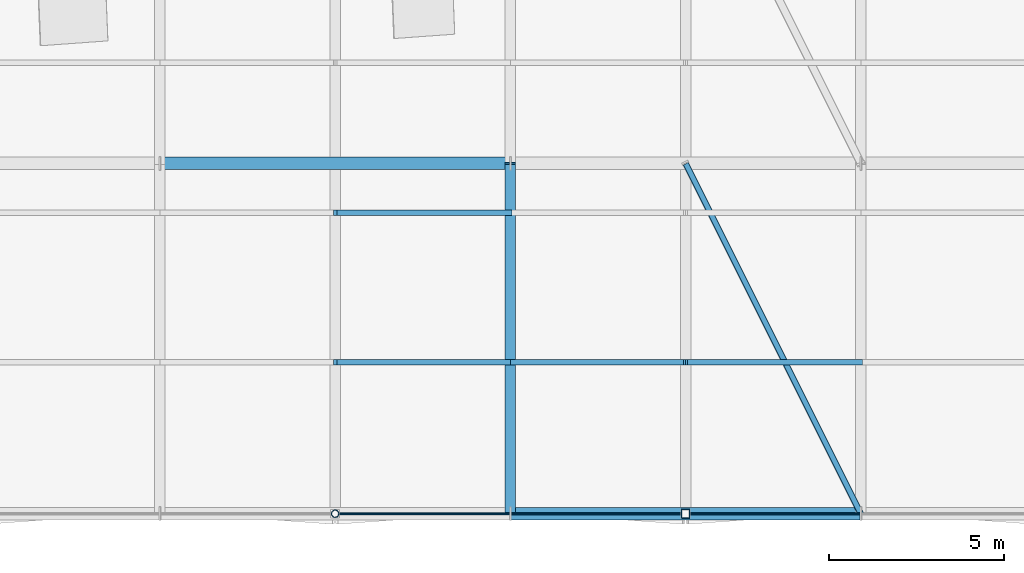
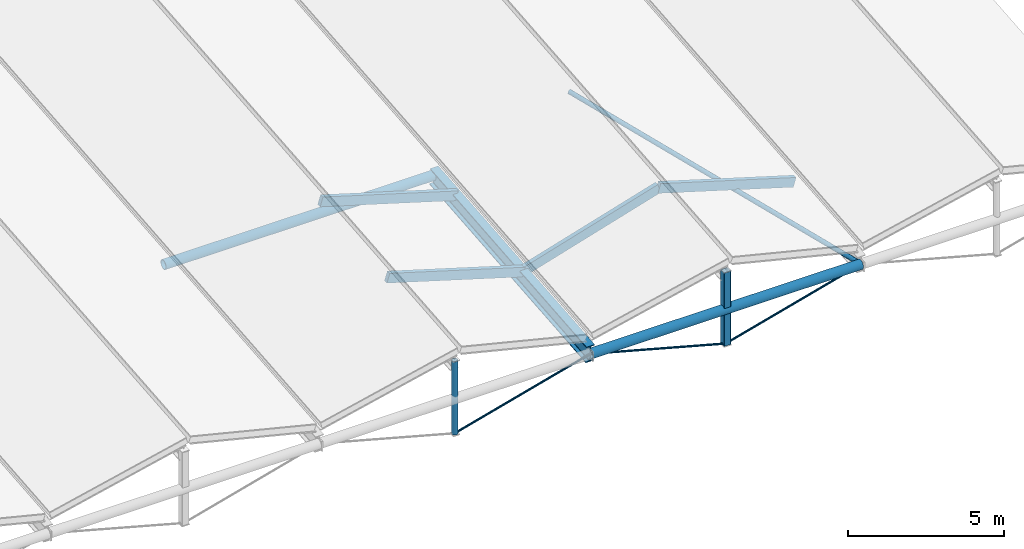
# One storey, part 18 of 90: 10 members, 3 beams.
"""IFC4 building model written with IfcOpenShell, lengths in metres."""

import ifcopenshell
import ifcopenshell.guid

model = None  # the IFC model being written
_history = None  # IfcOwnerHistory: only IFC2X3 demands one
_inside = {}  # id of a spatial element -> (the spatial element, [elements in it])
_under = {}  # id of a project, library or spatial element -> (it, [spatial elements below it])
_declared = {}  # id of a project -> (the project, [libraries it declares])
_typed = {}  # id of a type object -> (the type object, [elements of that type])
_made_of = {}  # id of a material, layer set ... -> (it, [elements and type objects made of it])


def new_model(schema):
    """Start an empty IFC model of exactly this schema.

    Asked for "IFC4X3", IfcOpenShell would pick the latest addendum, in which some entities
    have other attributes; the version numbers below select the first issue.
    IFC2X3 requires an IfcOwnerHistory on every rooted entity: one is made here for all.
    """
    global model, _history
    if schema == "IFC4X3":
        model = ifcopenshell.file(schema_version=(4, 3, 0, 0))
    else:
        model = ifcopenshell.file(schema=schema)
    _inside.clear()
    _under.clear()
    _declared.clear()
    _typed.clear()
    _made_of.clear()
    _history = None
    if model.schema == "IFC2X3":
        org = make("IfcOrganization", Name="unknown")
        user = make(
            "IfcPersonAndOrganization",
            ThePerson=make("IfcPerson", FamilyName="unknown"),
            TheOrganization=org,
        )
        app = make(
            "IfcApplication",
            ApplicationDeveloper=org,
            Version="unknown",
            ApplicationFullName="unknown",
            ApplicationIdentifier="unknown",
        )
        _history = make(
            "IfcOwnerHistory",
            OwningUser=user,
            OwningApplication=app,
            ChangeAction="ADDED",
            CreationDate=0,
        )
    return model


def make(cls, **values):
    """One entity of the class cls with the attributes given. An attribute that is None is left unset."""
    return model.create_entity(
        cls, **{name: value for name, value in values.items() if value is not None}
    )


def rooted(cls, **values):
    """An entity with a GlobalId (a new one), such as an element, a storey or a relation."""
    return make(cls, GlobalId=ifcopenshell.guid.new(), OwnerHistory=_history, **values)


def si_unit(unit_type, name, prefix=None):
    """IfcSIUnit, for example si_unit("LENGTHUNIT", "METRE", prefix="MILLI")."""
    return make("IfcSIUnit", UnitType=unit_type, Prefix=prefix, Name=name)


def assignment(units):
    """IfcUnitAssignment: the units of a project."""
    return None if units is None else make("IfcUnitAssignment", Units=units)


def point(xyz):
    """IfcCartesianPoint."""
    return None if xyz is None else make("IfcCartesianPoint", Coordinates=xyz)


def direction(xyz):
    """IfcDirection."""
    return None if xyz is None else make("IfcDirection", DirectionRatios=xyz)


def frame(location, z_axis=None, x_axis=None):
    """IfcAxis2Placement3D, a coordinate frame: its origin and axes. An axis left out is left unset."""
    return make(
        "IfcAxis2Placement3D",
        Location=point(location),
        Axis=direction(z_axis),
        RefDirection=direction(x_axis),
    )


def frame_2d(location, x_axis=None):
    """IfcAxis2Placement2D, a coordinate frame in the plane: its origin and x axis."""
    return make(
        "IfcAxis2Placement2D", Location=point(location), RefDirection=direction(x_axis)
    )


def origin():
    """The frame at (0, 0, 0) with its axes left unset."""
    return frame((0.0, 0.0, 0.0))


def origin_2d():
    """The frame at (0, 0) in the plane with its x axis left unset."""
    return frame_2d((0.0, 0.0))


def place(relative_to, where):
    """IfcLocalPlacement: puts the frame where relative to a parent placement (None: the world)."""
    return make(
        "IfcLocalPlacement", PlacementRelTo=relative_to, RelativePlacement=where
    )


def context(
    kind, dimensions, precision=None, world=None, true_north=None, identifier=None
):
    """IfcGeometricRepresentationContext, for example the 3D "Model" context."""
    return make(
        "IfcGeometricRepresentationContext",
        ContextIdentifier=identifier,
        ContextType=kind,
        CoordinateSpaceDimension=dimensions,
        Precision=precision,
        WorldCoordinateSystem=world,
        TrueNorth=true_north,
    )


def subcontext(parent, identifier, kind, view, scale=None):
    """IfcGeometricRepresentationSubContext, for example "Body" below "Model"."""
    return make(
        "IfcGeometricRepresentationSubContext",
        ContextIdentifier=identifier,
        ContextType=kind,
        ParentContext=parent,
        TargetScale=scale,
        TargetView=view,
    )


def project(units=None, contexts=None):
    """IfcProject with its units and contexts."""
    return rooted(
        "IfcProject",
        Name="project",
        RepresentationContexts=contexts,
        UnitsInContext=assignment(units),
    )


def spatial(cls, under=None, at=None, **own):
    """A site, building, storey or space (cls), placed at a placement, below another one or the project."""
    s = rooted(cls, ObjectPlacement=at, **own)
    if under is not None:
        _under.setdefault(under.id(), (under, []))[1].append(s)
    return s


def profile(cls, at=None, kind="AREA", **sizes):
    """A parametric profile (cls). Its sizes go by their IFC names, for example OverallWidth=200.0."""
    return make(cls, ProfileType=kind, Position=at, **sizes)


def rectangle(**sizes):
    """IfcRectangleProfileDef."""
    return profile("IfcRectangleProfileDef", **sizes)


def hollow_rectangle(**sizes):
    """IfcRectangleHollowProfileDef."""
    return profile("IfcRectangleHollowProfileDef", **sizes)


def circle(**sizes):
    """IfcCircleProfileDef."""
    return profile("IfcCircleProfileDef", **sizes)


def hollow_circle(**sizes):
    """IfcCircleHollowProfileDef."""
    return profile("IfcCircleHollowProfileDef", **sizes)


def i_section(**sizes):
    """IfcIShapeProfileDef."""
    return profile("IfcIShapeProfileDef", **sizes)


def extrude(swept, where, along, depth):
    """IfcExtrudedAreaSolid: the profile swept, set in the frame where, extruded along a direction by depth."""
    return make(
        "IfcExtrudedAreaSolid",
        SweptArea=swept,
        Position=where,
        ExtrudedDirection=direction(along),
        Depth=depth,
    )


def shape(context_of_items, identifier, shape_type, items):
    """IfcShapeRepresentation: the items that make up one representation, for example the "Body"."""
    return make(
        "IfcShapeRepresentation",
        ContextOfItems=context_of_items,
        RepresentationIdentifier=identifier,
        RepresentationType=shape_type,
        Items=items,
    )


def material(Name=None, Category=None):
    """IfcMaterial."""
    return make("IfcMaterial", Name=Name, Category=Category)


def material_profile(
    of_material, cross_section, Name=None, Category=None, Priority=None
):
    """IfcMaterialProfile: a cross section and its material."""
    return make(
        "IfcMaterialProfile",
        Name=Name,
        Material=of_material,
        Profile=cross_section,
        Priority=Priority,
        Category=Category,
    )


def profile_set(profiles, Name=None, composite=None):
    """IfcMaterialProfileSet."""
    return make(
        "IfcMaterialProfileSet",
        Name=Name,
        MaterialProfiles=profiles,
        CompositeProfile=composite,
    )


def made_of(thing, what):
    """Note that an element or type object is made of a material, layer set ...; save() writes the relation."""
    if what is not None:
        _made_of.setdefault(what.id(), (what, []))[1].append(thing)
    return thing


def type_object(cls, material=None, **own):
    """A type object (cls), such as IfcWallType, which elements share."""
    return made_of(rooted(cls, **own), material)


def element(
    cls,
    number,
    at=None,
    inside=None,
    cuts=None,
    type_object=None,
    material=None,
    context=None,
    identifier="Body",
    shape_type=None,
    held_by="IfcProductDefinitionShape",
    body=None,
    shapes=None,
    **own,
):
    """One element of the class cls, such as IfcWall. Its Tag is "e" and its number.

    at: its placement. inside: the storey or other place that contains it. cuts: it is an
    opening in that element (IfcRelVoidsElement). A single representation is given by context,
    identifier, shape_type and body (its items); several are given by shapes. held_by: the class
    of the entity that holds the representations. save() writes the other relations.
    """
    e = rooted(cls, Tag="e%d" % number, ObjectPlacement=at, **own)
    if body is not None:
        shapes = [shape(context, identifier, shape_type, body)]
    if shapes is not None:
        e.Representation = make(held_by, Representations=shapes)
    if inside is not None:
        _inside.setdefault(inside.id(), (inside, []))[1].append(e)
    if cuts is not None:
        rooted(
            "IfcRelVoidsElement", RelatingBuildingElement=cuts, RelatedOpeningElement=e
        )
    if type_object is not None:
        _typed.setdefault(type_object.id(), (type_object, []))[1].append(e)
    return made_of(e, material)


def aggregate(whole, parts):
    """IfcRelAggregates: a whole, such as a stair, and the parts it consists of."""
    return rooted("IfcRelAggregates", RelatingObject=whole, RelatedObjects=parts)


def save(model, path):
    """Write the relations noted so far, then the file.

    IfcRelAggregates (storeys below a building ...), IfcRelContainedInSpatialStructure (elements
    in a storey), IfcRelDefinesByType, IfcRelAssociatesMaterial and IfcRelDeclares: one each for
    every whole, place, type object, material and project.
    """
    for whole, parts in _under.values():
        aggregate(whole, parts)
    for where, things in _inside.values():
        rooted(
            "IfcRelContainedInSpatialStructure",
            RelatedElements=things,
            RelatingStructure=where,
        )
    for kind, things in _typed.values():
        rooted("IfcRelDefinesByType", RelatedObjects=things, RelatingType=kind)
    for what, things in _made_of.values():
        rooted("IfcRelAssociatesMaterial", RelatedObjects=things, RelatingMaterial=what)
    for by, libraries in _declared.values():
        rooted("IfcRelDeclares", RelatingContext=by, RelatedDefinitions=libraries)
    model.write(path)


model = new_model("IFC4")

# Units and contexts
model_context = context("Model", 3, precision=1e-05, world=origin(), true_north=direction((0.0, 1.0)))
body_context = subcontext(model_context, "Body", "Model", "MODEL_VIEW")
ifc_project = project(units=[si_unit("LENGTHUNIT", "METRE"), si_unit("AREAUNIT", "SQUARE_METRE"), si_unit("VOLUMEUNIT", "CUBIC_METRE"), si_unit("PLANEANGLEUNIT", "RADIAN"), si_unit("MASSUNIT", "GRAM", prefix="KILO"), si_unit("THERMODYNAMICTEMPERATUREUNIT", "KELVIN"), si_unit("POWERUNIT", "WATT")], contexts=[model_context])

# Site, building, storey
site_placement = place(None, origin())
site = spatial("IfcSite", under=ifc_project, at=site_placement, CompositionType="ELEMENT")
building_placement = place(site_placement, origin())
building = spatial("IfcBuilding", under=site, at=building_placement, Name="Korenveer Ferry Terminal", CompositionType="ELEMENT")
storey_placement = place(building_placement, frame((0.0, 0.0, 22.199951171875)))
storey = spatial("IfcBuildingStorey", under=building, at=storey_placement, Name="RF", CompositionType="ELEMENT", Elevation=22.199951171875)

# Beam
ifc_material_1 = material(Name="Steel S355", Category="steel")
ifc_material_profile_1 = material_profile(ifc_material_1, i_section(OverallWidth=0.300048828125, OverallDepth=0.64990234375, WebThickness=0.01611328125, FlangeThickness=0.031005859375, FilletRadius=0.027099609375, at=origin_2d()), Name="HEB 650")
ifc_profile_set_1 = profile_set([ifc_material_profile_1], Name="Steel S355")
beam_type_1 = type_object("IfcBeamType", Name="STR-BM-HEB650", PredefinedType="BEAM", material=ifc_profile_set_1)
beam_placement = place(storey_placement, frame((103.0, 20.0, -11.401611328125), z_axis=(0.0, 0.995903364261, 0.090423940715), x_axis=(-1.0, 0.0, 0.0)))
element("IfcBeam", 1, at=beam_placement, inside=storey, type_object=beam_type_1, Name="Folded roof valley girder 43", PredefinedType="BEAM", context=body_context, shape_type="SweptSolid", body=[
    extrude(i_section(OverallWidth=0.300048828125, OverallDepth=0.64990234375, WebThickness=0.01611328125, FlangeThickness=0.031005859375, FilletRadius=0.027099609375, at=origin_2d()), origin(), (0.0, 0.0, 1.0), 10.041015625),
])

# Members
ifc_material_profile_2 = material_profile(ifc_material_1, hollow_circle(Radius=0.084228515625, WallThickness=0.010009765625, at=origin_2d()), Name="CHS 168.3x10")
ifc_profile_set_2 = profile_set([ifc_material_profile_2], Name="Steel S355")
member_type_1 = type_object("IfcMemberType", Name="STR-BRC-CHS168", PredefinedType="BRACE", material=ifc_profile_set_2)
member_1_placement = place(storey_placement, frame((113.0, 20.0, -11.401611328125), z_axis=(-0.437110045644, 0.874220091289, 0.211362342872), x_axis=(-0.894427191, -0.4472135955, 0.0)))
element("IfcMember", 2, at=member_1_placement, inside=storey, type_object=member_type_1, Name="Roof wind brace BRCRF-B5-Y20", PredefinedType="BRACE", context=body_context, shape_type="SweptSolid", body=[
    extrude(hollow_circle(Radius=0.084228515625, WallThickness=0.010009765625, at=origin_2d()), origin(), (0.0, 0.0, 1.0), 11.438720703125),
])
ifc_material_2 = material(Name="High-strength steel S460", Category="steel")
ifc_material_profile_3 = material_profile(ifc_material_2, circle(Radius=0.0380859375, at=origin_2d()), Name="ROD D76")
ifc_profile_set_3 = profile_set([ifc_material_profile_3], Name="High-strength steel S460")
member_type_2 = type_object("IfcMemberType", Name="STR-CBL-D76", PredefinedType="USERDEFINED", material=ifc_profile_set_3)
for number, where, z_axis, x_axis, name in (
    (3, (103.0, 20.0, -11.401611328125), (-0.965424337217, 0.0, -0.260683426993), (0.0, -1.0, 0.0), "Roof tension tie cable 10"),
    (4, (103.0, 20.0, -11.401611328125), (0.965424337217, 0.0, -0.260683426993), (0.0, 1.0, 0.0), "Roof tension tie cable 11"),
    (5, (113.0, 20.0, -11.401611328125), (-0.965424337217, 0.0, -0.260683426993), (0.0, -1.0, 0.0), "Roof tension tie cable 12"),
):
    element("IfcMember", number, at=place(storey_placement, frame(where, z_axis=z_axis, x_axis=x_axis)), inside=storey, type_object=member_type_2, Name=name, ObjectType="CABLE", PredefinedType="USERDEFINED", context=body_context, shape_type="SweptSolid", body=[
        extrude(circle(Radius=0.0380859375, at=origin_2d()), origin(), (0.0, 0.0, 1.0), 5.178955078125),
    ])
ifc_material_3 = material(Name="Glulam GL28h", Category="wood")
ifc_material_profile_4 = material_profile(ifc_material_3, rectangle(XDim=0.159912109375, YDim=0.360107421875, at=origin_2d()), Name="GL 160x360")
ifc_profile_set_4 = profile_set([ifc_material_profile_4], Name="Glulam GL28h")
member_type_3 = type_object("IfcMemberType", Name="STR-PUR-GL160", PredefinedType="PURLIN", material=ifc_profile_set_4)
for number, where, z_axis, x_axis, name in (
    (6, (98.0, 24.321533203125, -9.2783203125), (0.957323074362, 0.0, -0.289019949647), (0.0, 1.0, 0.0), "Folded roof glulam purlin 151"),
    (7, (98.0, 28.5927734375, -8.890380859375), (0.957310140112, 0.0, -0.289062788401), (0.0, 1.0, 0.0), "Folded roof glulam purlin 152"),
    (8, (103.0, 24.321533203125, -10.787841796875), (0.957323074362, 0.0, 0.289019949647), (0.0, 1.0, 0.0), "Folded roof glulam purlin 181"),
    (9, (108.0, 24.321533203125, -9.2783203125), (0.957323074362, 0.0, -0.289019949647), (0.0, 1.0, 0.0), "Folded roof glulam purlin 187"),
):
    element("IfcMember", number, at=place(storey_placement, frame(where, z_axis=z_axis, x_axis=x_axis)), inside=storey, type_object=member_type_3, Name=name, PredefinedType="PURLIN", context=body_context, shape_type="SweptSolid", body=[
        extrude(rectangle(XDim=0.159912109375, YDim=0.360107421875, at=origin_2d()), origin(), (0.0, 0.0, 1.0), 5.222900390625),
    ])

# Beams
ifc_material_profile_5 = material_profile(ifc_material_1, hollow_circle(Radius=0.177734375, WallThickness=0.01611328125, at=origin_2d()), Name="CHS 355.6x16")
ifc_profile_set_5 = profile_set([ifc_material_profile_5], Name="Steel S355")
beam_type_2 = type_object("IfcBeamType", Name="STR-RFG-CHS355", PredefinedType="USERDEFINED", material=ifc_profile_set_5)
for number, where, z_axis, x_axis, name in (
    (10, (103.02001953125, 20.0, -11.401611328125), (1.0, 0.0, 0.0), (0.0, 1.0, 0.0), "Roof transverse tie girder 80"),
    (11, (93.02001953125, 30.0, -10.49365234375), (1.0, 0.0, 0.0), (0.0, 1.0, 0.0), "Roof transverse tie girder 86"),
):
    element("IfcBeam", number, at=place(storey_placement, frame(where, z_axis=z_axis, x_axis=x_axis)), inside=storey, type_object=beam_type_2, Name=name, ObjectType="ROOF GIRDER", PredefinedType="USERDEFINED", context=body_context, shape_type="SweptSolid", body=[
        extrude(hollow_circle(Radius=0.177734375, WallThickness=0.01611328125, at=origin_2d()), origin(), (0.0, 0.0, 1.0), 9.9599609375),
    ])

# Members
ifc_material_profile_6 = material_profile(ifc_material_1, hollow_circle(Radius=0.109619140625, WallThickness=0.012451171875, at=origin_2d()), Name="CHS 219.1x12.5")
ifc_profile_set_6 = profile_set([ifc_material_profile_6], Name="Steel S355")
member_type_4 = type_object("IfcMemberType", Name="STR-STT-CHS219", PredefinedType="STRUT", material=ifc_profile_set_6)
member_2_placement = place(storey_placement, frame((98.0, 20.0, -12.751708984375), z_axis=(0.0, 0.0, 1.0), x_axis=(1.0, 0.0, 0.0)))
element("IfcMember", 12, at=member_2_placement, inside=storey, type_object=member_type_4, Name="Roof king-post strut STTKP-Y20-B4", PredefinedType="STRUT", context=body_context, shape_type="SweptSolid", body=[
    extrude(hollow_circle(Radius=0.109619140625, WallThickness=0.012451171875, at=origin_2d()), origin(), (0.0, 0.0, 1.0), 2.85986328125),
])
ifc_material_profile_7 = material_profile(ifc_material_1, hollow_rectangle(XDim=0.25, YDim=0.25, WallThickness=0.012451171875, InnerFilletRadius=0.012451171875, OuterFilletRadius=0.018798828125, at=origin_2d()), Name="SHS 250x250x12.5")
ifc_profile_set_7 = profile_set([ifc_material_profile_7], Name="Steel S355")
member_type_5 = type_object("IfcMemberType", Name="STR-STT-SHS250", PredefinedType="STRUT", material=ifc_profile_set_7)
member_3_placement = place(storey_placement, frame((108.0, 20.0, -12.751708984375), z_axis=(0.0, 0.0, 1.0), x_axis=(1.0, 0.0, 0.0)))
element("IfcMember", 13, at=member_3_placement, inside=storey, type_object=member_type_5, Name="Roof king-post strut STTKP-Y20-B5", PredefinedType="STRUT", context=body_context, shape_type="SweptSolid", body=[
    extrude(hollow_rectangle(XDim=0.25, YDim=0.25, WallThickness=0.012451171875, InnerFilletRadius=0.012451171875, OuterFilletRadius=0.018798828125, at=origin_2d()), origin(), (0.0, 0.0, 1.0), 2.85986328125),
])

save(model, "model.ifc")
